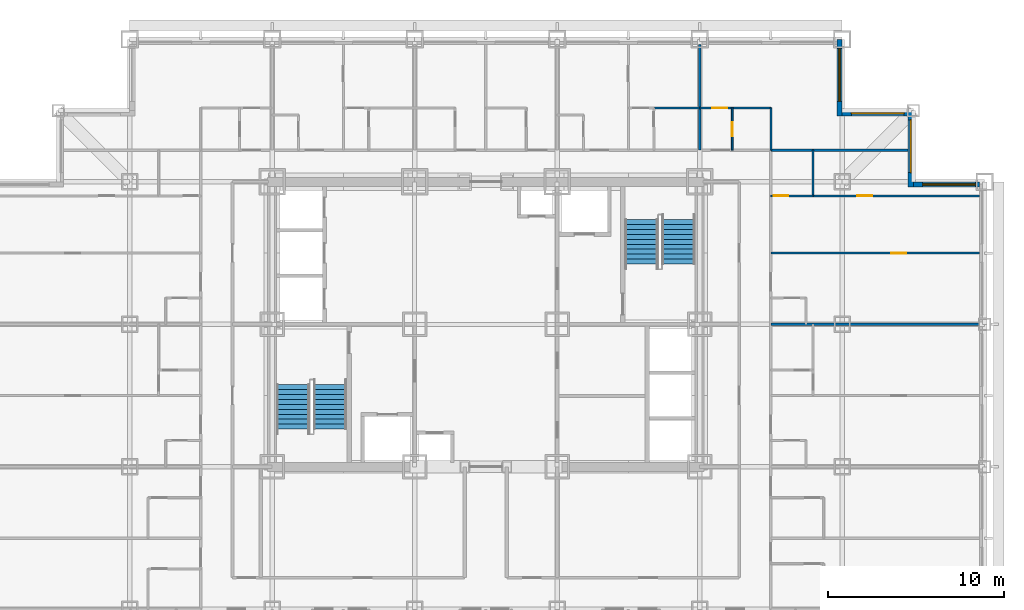
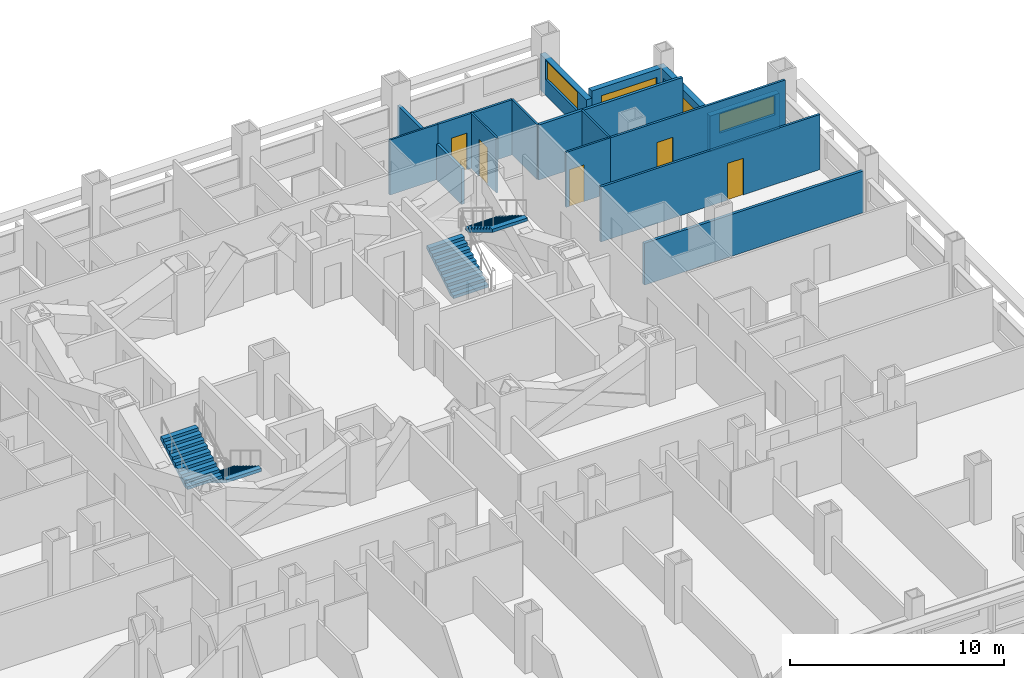
# One storey, part 11 of 12: 15 walls, 5 doors, 4 stair flights, 4 windows, 9 openings, 2 elements without a shape of their own.
"""IFC4 building model written with IfcOpenShell, lengths in metres."""

from ifc_helpers import new_model, si_unit, direction, frame, frame_2d, origin, place, context, subcontext, project, spatial, rectangle, extrude, polygons, source, transform, mapped, material, layer, layer_set, type_object, element, fill, aggregate, save


model = new_model("IFC4")

# Units and contexts
model_context = context("Model", 3, precision=1e-05, world=origin(), true_north=direction((0.0, 1.0)))
body_context = subcontext(model_context, "Body", "Model", "MODEL_VIEW")
ifc_project = project(units=[si_unit("LENGTHUNIT", "METRE"), si_unit("AREAUNIT", "SQUARE_METRE"), si_unit("VOLUMEUNIT", "CUBIC_METRE"), si_unit("PLANEANGLEUNIT", "RADIAN"), si_unit("MASSUNIT", "GRAM", prefix="KILO")], contexts=[model_context])

# Site, building, storey
site_placement = place(None, origin())
site = spatial("IfcSite", under=ifc_project, at=site_placement, CompositionType="ELEMENT")
building_placement = place(site_placement, origin())
building = spatial("IfcBuilding", under=site, at=building_placement, Name="Kopane Lantern Tower", CompositionType="ELEMENT")
storey_placement = place(building_placement, frame((0.0, 0.0, 87.39990234375)))
storey = spatial("IfcBuildingStorey", under=building, at=storey_placement, Name="L22", CompositionType="ELEMENT", Elevation=87.39990234375)

# Wall, opening, door
ifc_material_1 = material(Name="Gypsum board on steel studs", Category="steel")
ifc_layer_1 = layer(ifc_material_1, 0.1201171875)
ifc_layer_set_1 = layer_set([ifc_layer_1], Name="APARTMENT INTERNAL WALL 120")
wall_type_1 = type_object("IfcWallType", Name="APARTMENT INTERNAL WALL 120", PredefinedType="PARTITIONING", material=ifc_layer_set_1)
wall_1_placement = place(storey_placement, frame((44.550048828125, 36.449951171875, 0.0), z_axis=(0.0, 0.0, 1.0), x_axis=(1.0, 0.0, 0.0)))
wall_1 = element("IfcWall", 1, at=wall_1_placement, inside=storey, type_object=wall_type_1, Name="Apartment Internal Wall 120 L22", PredefinedType="PARTITIONING", context=body_context, shape_type="SweptSolid", body=[
    extrude(rectangle(XDim=11.849853515625, YDim=0.1201171875, at=frame_2d((5.9248046875, 0.0))), origin(), (0.0, 0.0, 1.0), 3.150146484375),
])
opening_1_placement = place(wall_1_placement, frame((6.85009765625, 0.0, 0.0)))
opening_1 = element("IfcOpeningElement", 2, at=opening_1_placement, cuts=wall_1, Name="Opening L22-056", PredefinedType="OPENING", context=body_context, shape_type="SweptSolid", body=[
    extrude(rectangle(XDim=0.85009765625, YDim=2.10009765625, at=frame_2d((0.425048828125, 1.050048828125))), frame((0.0, 0.070068359375, 0.0), z_axis=(0.0, -1.0, 0.0), x_axis=(1.0, 0.0, 0.0)), (0.0, 0.0, 1.0), 0.14013671875),
])
ifc_material_2 = material(Name="Timber door set", Category="wood")
door_type_1 = type_object("IfcDoorType", Name="DOOR D4 850x2100", OperationType="SINGLE_SWING_LEFT", PredefinedType="DOOR", material=ifc_material_2)
door_1_placement = place(opening_1_placement, origin())
door_1 = element("IfcDoor", 3, at=door_1_placement, inside=storey, type_object=door_type_1, Name="Door L22-056", OperationType="SINGLE_SWING_LEFT", OverallHeight=2.10009765625, OverallWidth=0.85009765625, PredefinedType="DOOR", context=body_context, shape_type="SweptSolid", body=[
    extrude(rectangle(XDim=0.85009765625, YDim=2.10009765625, at=frame_2d((0.425048828125, 1.050048828125))), frame((0.0, 0.02490234375, 0.0), z_axis=(0.0, -1.0, 0.0), x_axis=(1.0, 0.0, 0.0)), (0.0, 0.0, 1.0), 0.050048828125),
])
fill(opening_1, door_1)

wall_2_placement = place(storey_placement, frame((40.5, 44.699951171875, 0.0), z_axis=(0.0, 0.0, 1.0), x_axis=(1.0, 0.0, 0.0)))
wall_2 = element("IfcWall", 4, at=wall_2_placement, inside=storey, type_object=wall_type_1, Name="Apartment Internal Wall 120 L22", PredefinedType="PARTITIONING", context=body_context, shape_type="SweptSolid", body=[
    extrude(rectangle(XDim=4.050048828125, YDim=0.1201171875, at=frame_2d((2.02490234375, 0.0))), origin(), (0.0, 0.0, 1.0), 3.150146484375),
])
opening_2_placement = place(wall_2_placement, frame((0.72509765625, 0.0, 0.0)))
opening_2 = element("IfcOpeningElement", 5, at=opening_2_placement, cuts=wall_2, Name="Opening L22-067", PredefinedType="OPENING", context=body_context, shape_type="SweptSolid", body=[
    extrude(rectangle(XDim=0.85009765625, YDim=2.10009765625, at=frame_2d((0.425048828125, 1.050048828125))), frame((0.0, 0.070068359375, 0.0), z_axis=(0.0, -1.0, 0.0), x_axis=(1.0, 0.0, 0.0)), (0.0, 0.0, 1.0), 0.14013671875),
])
door_2_placement = place(opening_2_placement, origin())
door_2 = element("IfcDoor", 6, at=door_2_placement, inside=storey, type_object=door_type_1, Name="Door L22-067", OperationType="SINGLE_SWING_LEFT", OverallHeight=2.10009765625, OverallWidth=0.85009765625, PredefinedType="DOOR", context=body_context, shape_type="SweptSolid", body=[
    extrude(rectangle(XDim=0.85009765625, YDim=2.10009765625, at=frame_2d((0.425048828125, 1.050048828125))), frame((0.0, 0.02490234375, 0.0), z_axis=(0.0, -1.0, 0.0), x_axis=(1.0, 0.0, 0.0)), (0.0, 0.0, 1.0), 0.050048828125),
])
fill(opening_2, door_2)

wall_3_placement = place(storey_placement, frame((56.39990234375, 39.699951171875, 0.0), z_axis=(0.0, 0.0, 1.0), x_axis=(-1.0, 0.0, 0.0)))
wall_3 = element("IfcWall", 7, at=wall_3_placement, inside=storey, type_object=wall_type_1, Name="Apartment Internal Wall 120 L22", PredefinedType="PARTITIONING", context=body_context, shape_type="SweptSolid", body=[
    extrude(rectangle(XDim=9.4599609375, YDim=0.1201171875, at=frame_2d((4.72998046875, 0.0))), origin(), (0.0, 0.0, 1.0), 3.150146484375),
])
opening_3_placement = place(wall_3_placement, frame((6.0849609375, 0.0, 0.0)))
opening_3 = element("IfcOpeningElement", 8, at=opening_3_placement, cuts=wall_3, Name="Opening L22-076", PredefinedType="OPENING", context=body_context, shape_type="SweptSolid", body=[
    extrude(rectangle(XDim=0.85009765625, YDim=2.0, at=frame_2d((0.425048828125, 1.0))), frame((0.0, 0.070068359375, 0.0), z_axis=(0.0, -1.0, 0.0), x_axis=(1.0, 0.0, 0.0)), (0.0, 0.0, 1.0), 0.14013671875),
])
ifc_material_3 = material(Name="Timber door set", Category="wood")
door_type_2 = type_object("IfcDoorType", Name="DOOR D12 850x2000 LOW HEAD", OperationType="SINGLE_SWING_LEFT", PredefinedType="DOOR", material=ifc_material_3)
door_3_placement = place(opening_3_placement, origin())
door_3 = element("IfcDoor", 9, at=door_3_placement, inside=storey, type_object=door_type_2, Name="Door L22-076", OperationType="SINGLE_SWING_LEFT", OverallHeight=2.0, OverallWidth=0.85009765625, PredefinedType="DOOR", context=body_context, shape_type="SweptSolid", body=[
    extrude(rectangle(XDim=0.85009765625, YDim=2.0, at=frame_2d((0.425048828125, 1.0))), frame((0.0, 0.02490234375, 0.0), z_axis=(0.0, -1.0, 0.0), x_axis=(1.0, 0.0, 0.0)), (0.0, 0.0, 1.0), 0.050048828125),
])
fill(opening_3, door_3)

# Walls
ifc_material_4 = material(Name="Moisture-resistant board on steel studs", Category="steel")
ifc_layer_2 = layer(ifc_material_4, 0.10009765625)
ifc_layer_set_2 = layer_set([ifc_layer_2], Name="BATHROOM WALL 100")
wall_type_2 = type_object("IfcWallType", Name="BATHROOM WALL 100", PredefinedType="PARTITIONING", material=ifc_layer_set_2)
for number, where, z_axis, x_axis, name in (
    (10, (37.89990234375, 44.699951171875, 0.0), (0.0, 0.0, 1.0), (1.0, 0.0, 0.0), "Bathroom Wall 100 L22"),
    (11, (46.949951171875, 39.699951171875, 0.0), (0.0, 0.0, 1.0), (0.0, 1.0, 0.0), "Bathroom Wall 100 L22"),
):
    element("IfcWall", number, at=place(storey_placement, frame(where, z_axis=z_axis, x_axis=x_axis)), inside=storey, type_object=wall_type_2, Name=name, PredefinedType="PARTITIONING", context=body_context, shape_type="SweptSolid", body=[
        extrude(rectangle(XDim=2.60009765625, YDim=0.10009765625, at=frame_2d((1.300048828125, 0.0))), origin(), (0.0, 0.0, 1.0), 3.150146484375),
    ])

# Wall, opening, door
wall_4_placement = place(storey_placement, frame((44.550048828125, 39.699951171875, 0.0), z_axis=(0.0, 0.0, 1.0), x_axis=(1.0, 0.0, 0.0)))
wall_4 = element("IfcWall", 12, at=wall_4_placement, inside=storey, type_object=wall_type_2, Name="Bathroom Wall 100 L22", PredefinedType="PARTITIONING", context=body_context, shape_type="SweptSolid", body=[
    extrude(rectangle(XDim=2.39990234375, YDim=0.10009765625, at=frame_2d((1.199951171875, 0.0))), origin(), (0.0, 0.0, 1.0), 3.150146484375),
])
opening_4_placement = place(wall_4_placement, frame((0.175048828125, 0.0, 0.0)))
opening_4 = element("IfcOpeningElement", 13, at=opening_4_placement, cuts=wall_4, Name="Opening L22-055", PredefinedType="OPENING", context=body_context, shape_type="SweptSolid", body=[
    extrude(rectangle(XDim=0.800048828125, YDim=2.10009765625, at=frame_2d((0.39990234375, 1.050048828125))), frame((0.0, 0.06005859375, 0.0), z_axis=(0.0, -1.0, 0.0), x_axis=(1.0, 0.0, 0.0)), (0.0, 0.0, 1.0), 0.1201171875),
])
ifc_material_5 = material(Name="Timber door set", Category="wood")
door_type_3 = type_object("IfcDoorType", Name="DOOR D2 800x2100", OperationType="SINGLE_SWING_LEFT", PredefinedType="DOOR", material=ifc_material_5)
door_4_placement = place(opening_4_placement, origin())
door_4 = element("IfcDoor", 14, at=door_4_placement, inside=storey, type_object=door_type_3, Name="Door L22-055", OperationType="SINGLE_SWING_RIGHT", OverallHeight=2.10009765625, OverallWidth=0.800048828125, PredefinedType="DOOR", context=body_context, shape_type="SweptSolid", body=[
    extrude(rectangle(XDim=0.800048828125, YDim=2.10009765625, at=frame_2d((0.39990234375, 1.050048828125))), frame((0.0, 0.02490234375, 0.0), z_axis=(0.0, -1.0, 0.0), x_axis=(1.0, 0.0, 0.0)), (0.0, 0.0, 1.0), 0.050048828125),
])
fill(opening_4, door_4)

wall_5_placement = place(storey_placement, frame((42.35009765625, 42.300048828125, 0.0), z_axis=(0.0, 0.0, 1.0), x_axis=(0.0, 1.0, 0.0)))
wall_5 = element("IfcWall", 15, at=wall_5_placement, inside=storey, type_object=wall_type_2, Name="Bathroom Wall 100 L22", PredefinedType="PARTITIONING", context=body_context, shape_type="SweptSolid", body=[
    extrude(rectangle(XDim=2.39990234375, YDim=0.10009765625, at=frame_2d((1.199951171875, 0.0))), origin(), (0.0, 0.0, 1.0), 3.150146484375),
])
opening_5_placement = place(wall_5_placement, frame((0.800048828125, 0.0, 0.0)))
opening_5 = element("IfcOpeningElement", 16, at=opening_5_placement, cuts=wall_5, Name="Opening L22-065", PredefinedType="OPENING", context=body_context, shape_type="SweptSolid", body=[
    extrude(rectangle(XDim=0.800048828125, YDim=2.10009765625, at=frame_2d((0.39990234375, 1.050048828125))), frame((0.0, 0.06005859375, 0.0), z_axis=(0.0, -1.0, 0.0), x_axis=(1.0, 0.0, 0.0)), (0.0, 0.0, 1.0), 0.1201171875),
])
door_5_placement = place(opening_5_placement, origin())
door_5 = element("IfcDoor", 17, at=door_5_placement, inside=storey, type_object=door_type_3, Name="Door L22-065", OperationType="SINGLE_SWING_RIGHT", OverallHeight=2.10009765625, OverallWidth=0.800048828125, PredefinedType="DOOR", context=body_context, shape_type="SweptSolid", body=[
    extrude(rectangle(XDim=0.800048828125, YDim=2.10009765625, at=frame_2d((0.39990234375, 1.050048828125))), frame((0.0, 0.02490234375, 0.0), z_axis=(0.0, -1.0, 0.0), x_axis=(1.0, 0.0, 0.0)), (0.0, 0.0, 1.0), 0.050048828125),
])
fill(opening_5, door_5)

# Walls
wall_6_placement = place(storey_placement, frame((44.550048828125, 42.300048828125, 0.0), z_axis=(0.0, 0.0, 1.0), x_axis=(0.0, 1.0, 0.0)))
element("IfcWall", 18, at=wall_6_placement, inside=storey, type_object=wall_type_2, Name="Bathroom Wall 100 L22", PredefinedType="PARTITIONING", context=body_context, shape_type="SweptSolid", body=[
    extrude(rectangle(XDim=2.39990234375, YDim=0.10009765625, at=frame_2d((1.199951171875, 0.0))), origin(), (0.0, 0.0, 1.0), 3.150146484375),
])
ifc_material_6 = material(Name="Gypsum board on steel studs", Category="steel")
ifc_layer_3 = layer(ifc_material_6, 0.14990234375)
ifc_layer_set_3 = layer_set([ifc_layer_3], Name="DEMISING WALL 150 EI 60")
wall_type_3 = type_object("IfcWallType", Name="DEMISING WALL 150 EI 60", PredefinedType="PARTITIONING", material=ifc_layer_set_3)
wall_7_placement = place(storey_placement, frame((44.550048828125, 32.39990234375, 0.0), z_axis=(0.0, 0.0, 1.0), x_axis=(1.0, 0.0, 0.0)))
element("IfcWall", 19, at=wall_7_placement, inside=storey, type_object=wall_type_3, Name="Demising Wall 150 Ei 60 L22", PredefinedType="PARTITIONING", context=body_context, shape_type="SweptSolid", body=[
    extrude(rectangle(XDim=11.849853515625, YDim=0.14990234375, at=frame_2d((5.9248046875, 0.0))), origin(), (0.0, 0.0, 1.0), 2.387939453125),
])
wall_8_placement = place(storey_placement, frame((44.550048828125, 42.300048828125, 0.0), z_axis=(0.0, 0.0, 1.0), x_axis=(1.0, 0.0, 0.0)))
element("IfcWall", 20, at=wall_8_placement, inside=storey, type_object=wall_type_3, Name="Demising Wall 150 Ei 60 L22", PredefinedType="PARTITIONING", context=body_context, shape_type="SweptSolid", body=[
    extrude(rectangle(XDim=7.800048828125, YDim=0.14990234375, at=frame_2d((3.89990234375, 0.0))), origin(), (0.0, 0.0, 1.0), 3.150146484375),
])
wall_9_placement = place(storey_placement, frame((40.5, 42.300048828125, 0.0), z_axis=(0.0, 0.0, 1.0), x_axis=(0.0, 1.0, 0.0)))
element("IfcWall", 21, at=wall_9_placement, inside=storey, type_object=wall_type_3, Name="Demising Wall 150 Ei 60 L22", PredefinedType="PARTITIONING", context=body_context, shape_type="SweptSolid", body=[
    extrude(rectangle(XDim=6.0, YDim=0.14990234375, at=frame_2d((3.0, 0.0))), origin(), (0.0, 0.0, 1.0), 2.050048828125),
])

# Wall, opening, window
ifc_material_7 = material(Name="Terracotta rainscreen on light steel framing", Category="masonry")
ifc_layer_4 = layer(ifc_material_7, 0.300048828125)
ifc_layer_set_4 = layer_set([ifc_layer_4], Name="EXTERNAL WALL EW1 300 TERRACOTTA")
wall_type_4 = type_object("IfcWallType", Name="EXTERNAL WALL EW1 300 TERRACOTTA", PredefinedType="SOLIDWALL", material=ifc_layer_set_4)
wall_10_placement = place(storey_placement, frame((56.39990234375, 40.35009765625, 0.0), z_axis=(0.0, 0.0, 1.0), x_axis=(-1.0, 0.0, 0.0)))
wall_10 = element("IfcWall", 22, at=wall_10_placement, inside=storey, type_object=wall_type_4, Name="External wall N L22", PredefinedType="SOLIDWALL", context=body_context, shape_type="SweptSolid", body=[
    extrude(rectangle(XDim=3.75, YDim=0.300048828125, at=frame_2d((1.875, 0.0))), origin(), (0.0, 0.0, 1.0), 2.050048828125),
])
opening_6_placement = place(wall_10_placement, frame((0.22509765625, 0.0, 0.89990234375)))
opening_6 = element("IfcOpeningElement", 23, at=opening_6_placement, cuts=wall_10, Name="Opening WR300110", PredefinedType="OPENING", context=body_context, shape_type="SweptSolid", body=[
    extrude(rectangle(XDim=3.0, YDim=1.10009765625, at=frame_2d((1.5, 0.550048828125))), frame((0.0, 0.159912109375, 0.0), z_axis=(0.0, -1.0, 0.0), x_axis=(1.0, 0.0, 0.0)), (0.0, 0.0, 1.0), 0.320068359375),
])
ifc_material_8 = material(Name="Aluminium and clear glass", Category="aluminium")
window_type = type_object("IfcWindowType", Name="RIBBON WINDOW WR300110 3000x1100", PartitioningType="SINGLE_PANEL", PredefinedType="WINDOW", material=ifc_material_8)
window_1_placement = place(opening_6_placement, origin())
window_1 = element("IfcWindow", 24, at=window_1_placement, inside=storey, type_object=window_type, Name="Window N L22", OverallHeight=1.10009765625, OverallWidth=3.0, PartitioningType="SINGLE_PANEL", PredefinedType="WINDOW", context=body_context, shape_type="SweptSolid", body=[
    extrude(rectangle(XDim=3.0, YDim=1.10009765625, at=frame_2d((1.5, 0.550048828125))), frame((0.0, 0.030029296875, 0.0), z_axis=(0.0, -1.0, 0.0), x_axis=(1.0, 0.0, 0.0)), (0.0, 0.0, 1.0), 0.06005859375),
])
fill(opening_6, window_1)

wall_11_placement = place(storey_placement, frame((52.5, 40.199951171875, 0.0), z_axis=(0.0, 0.0, 1.0), x_axis=(0.0, 1.0, 0.0)))
wall_11 = element("IfcWall", 25, at=wall_11_placement, inside=storey, type_object=wall_type_4, Name="External wall E L22", PredefinedType="SOLIDWALL", context=body_context, shape_type="SweptSolid", body=[
    extrude(rectangle(XDim=4.35009765625, YDim=0.300048828125, at=frame_2d((2.175048828125, 0.0))), origin(), (0.0, 0.0, 1.0), 2.4501953125),
])
opening_7_placement = place(wall_11_placement, frame((0.824951171875, 0.0, 0.89990234375)))
opening_7 = element("IfcOpeningElement", 26, at=opening_7_placement, cuts=wall_11, Name="Opening WR300110", PredefinedType="OPENING", context=body_context, shape_type="SweptSolid", body=[
    extrude(rectangle(XDim=3.0, YDim=1.10009765625, at=frame_2d((1.5, 0.550048828125))), frame((0.0, 0.159912109375, 0.0), z_axis=(0.0, -1.0, 0.0), x_axis=(1.0, 0.0, 0.0)), (0.0, 0.0, 1.0), 0.320068359375),
])
window_2_placement = place(opening_7_placement, origin())
window_2 = element("IfcWindow", 27, at=window_2_placement, inside=storey, type_object=window_type, Name="Window E L22", OverallHeight=1.10009765625, OverallWidth=3.0, PartitioningType="SINGLE_PANEL", PredefinedType="WINDOW", context=body_context, shape_type="SweptSolid", body=[
    extrude(rectangle(XDim=3.0, YDim=1.10009765625, at=frame_2d((1.5, 0.550048828125))), frame((0.0, 0.030029296875, 0.0), z_axis=(0.0, -1.0, 0.0), x_axis=(1.0, 0.0, 0.0)), (0.0, 0.0, 1.0), 0.06005859375),
])
fill(opening_7, window_2)

wall_12_placement = place(storey_placement, frame((52.35009765625, 44.39990234375, 0.0), z_axis=(0.0, 0.0, 1.0), x_axis=(-1.0, 0.0, 0.0)))
wall_12 = element("IfcWall", 28, at=wall_12_placement, inside=storey, type_object=wall_type_4, Name="External wall N L22", PredefinedType="SOLIDWALL", context=body_context, shape_type="SweptSolid", body=[
    extrude(rectangle(XDim=3.75, YDim=0.300048828125, at=frame_2d((1.875, 0.0))), origin(), (0.0, 0.0, 1.0), 2.4501953125),
])
opening_8_placement = place(wall_12_placement, frame((0.22509765625, 0.0, 0.89990234375)))
opening_8 = element("IfcOpeningElement", 29, at=opening_8_placement, cuts=wall_12, Name="Opening WR300110", PredefinedType="OPENING", context=body_context, shape_type="SweptSolid", body=[
    extrude(rectangle(XDim=3.0, YDim=1.10009765625, at=frame_2d((1.5, 0.550048828125))), frame((0.0, 0.159912109375, 0.0), z_axis=(0.0, -1.0, 0.0), x_axis=(1.0, 0.0, 0.0)), (0.0, 0.0, 1.0), 0.320068359375),
])
window_3_placement = place(opening_8_placement, origin())
window_3 = element("IfcWindow", 30, at=window_3_placement, inside=storey, type_object=window_type, Name="Window N L22", OverallHeight=1.10009765625, OverallWidth=3.0, PartitioningType="SINGLE_PANEL", PredefinedType="WINDOW", context=body_context, shape_type="SweptSolid", body=[
    extrude(rectangle(XDim=3.0, YDim=1.10009765625, at=frame_2d((1.5, 0.550048828125))), frame((0.0, 0.030029296875, 0.0), z_axis=(0.0, -1.0, 0.0), x_axis=(1.0, 0.0, 0.0)), (0.0, 0.0, 1.0), 0.06005859375),
])
fill(opening_8, window_3)

wall_13_placement = place(storey_placement, frame((48.449951171875, 44.25, 0.0), z_axis=(0.0, 0.0, 1.0), x_axis=(0.0, 1.0, 0.0)))
wall_13 = element("IfcWall", 31, at=wall_13_placement, inside=storey, type_object=wall_type_4, Name="External wall E L22", PredefinedType="SOLIDWALL", context=body_context, shape_type="SweptSolid", body=[
    extrude(rectangle(XDim=4.35009765625, YDim=0.300048828125, at=frame_2d((2.175048828125, 0.0))), origin(), (0.0, 0.0, 1.0), 2.050048828125),
])
opening_9_placement = place(wall_13_placement, frame((0.824951171875, 0.0, 0.89990234375)))
opening_9 = element("IfcOpeningElement", 32, at=opening_9_placement, cuts=wall_13, Name="Opening WR300110", PredefinedType="OPENING", context=body_context, shape_type="SweptSolid", body=[
    extrude(rectangle(XDim=3.0, YDim=1.10009765625, at=frame_2d((1.5, 0.550048828125))), frame((0.0, 0.159912109375, 0.0), z_axis=(0.0, -1.0, 0.0), x_axis=(1.0, 0.0, 0.0)), (0.0, 0.0, 1.0), 0.320068359375),
])
window_4_placement = place(opening_9_placement, origin())
window_4 = element("IfcWindow", 33, at=window_4_placement, inside=storey, type_object=window_type, Name="Window E L22", OverallHeight=1.10009765625, OverallWidth=3.0, PartitioningType="SINGLE_PANEL", PredefinedType="WINDOW", context=body_context, shape_type="SweptSolid", body=[
    extrude(rectangle(XDim=3.0, YDim=1.10009765625, at=frame_2d((1.5, 0.550048828125))), frame((0.0, 0.030029296875, 0.0), z_axis=(0.0, -1.0, 0.0), x_axis=(1.0, 0.0, 0.0)), (0.0, 0.0, 1.0), 0.06005859375),
])
fill(opening_9, window_4)

# Stair, stair flights
ifc_material_9 = material(Name="Steel S355JR", Category="steel")
stair_type = type_object("IfcStairType", Name="EXIT STAIR 1900 HALF TURN", PredefinedType="HALF_TURN_STAIR", material=ifc_material_9)
stair_1_placement = place(storey_placement, origin())
stair_1 = element("IfcStair", 34, at=stair_1_placement, inside=storey, type_object=stair_type, Name="Exit stair ST1 L22", PredefinedType="HALF_TURN_STAIR")
ifc_material_10 = material(Name="Steel S355JR", Category="steel")
stair_flight_type = type_object("IfcStairFlightType", Name="STAIR FLIGHT 1900 STEEL", PredefinedType="STRAIGHT", material=ifc_material_10)
shared_shape = source(origin(), body_context, "Body", "Tessellation", [
    polygons([(2.520019531, 0.949951172, 1.530029297), (2.239990234, 0.949951172, 1.530029297), (2.239990234, -0.949951172, 1.530029297), (2.520019531, -0.949951172, 1.530029297), (0.288818359, 0.949951172, 0.0), (2.520019531, 0.949951172, 1.354736328), (2.520019531, -0.949951172, 1.354736328), (0.288818359, -0.949951172, 0.0), (0.0, 0.949951172, 0.0), (0.0, -0.949951172, 0.0), (0.280029297, 0.949951172, 0.169921875), (0.0, 0.949951172, 0.169921875), (0.0, -0.949951172, 0.169921875), (0.280029297, -0.949951172, 0.169921875), (0.280029297, 0.949951172, 0.340087891), (0.280029297, -0.949951172, 0.340087891), (0.560058594, 0.949951172, 0.340087891), (0.560058594, -0.949951172, 0.340087891), (0.560058594, 0.949951172, 0.510009766), (0.560058594, -0.949951172, 0.510009766), (0.840087891, 0.949951172, 0.510009766), (0.840087891, -0.949951172, 0.510009766), (0.840087891, 0.949951172, 0.679931641), (0.840087891, -0.949951172, 0.679931641), (1.120117188, 0.949951172, 0.679931641), (1.120117188, -0.949951172, 0.679931641), (1.120117188, 0.949951172, 0.850097656), (1.120117188, -0.949951172, 0.850097656), (1.399902344, 0.949951172, 0.850097656), (1.399902344, -0.949951172, 0.850097656), (1.399902344, 0.949951172, 1.020019531), (1.399902344, -0.949951172, 1.020019531), (1.679931641, 0.949951172, 1.020019531), (1.679931641, -0.949951172, 1.020019531), (1.679931641, 0.949951172, 1.189941406), (1.679931641, -0.949951172, 1.189941406), (1.959960938, 0.949951172, 1.189941406), (1.959960938, -0.949951172, 1.189941406), (1.959960938, 0.949951172, 1.360107422), (1.959960938, -0.949951172, 1.360107422), (2.239990234, 0.949951172, 1.360107422), (2.239990234, -0.949951172, 1.360107422), (0.0, 0.0, 0.004592483), (0.0, 0.0, 0.009184966), (0.0, 0.0, 0.013777449), (0.0, 0.0, 0.018369932), (0.0, 0.0, 0.022962416), (0.0, 0.0, 0.027554899), (0.0, 0.0, 0.032147382), (0.0, 0.0, 0.036739865), (0.0, 0.0, 0.041332348), (0.0, 0.0, 0.045924831), (0.0, 0.0, 0.050517314), (0.0, 0.0, 0.055109797), (0.0, 0.0, 0.05970228), (0.0, 0.0, 0.064294764), (0.0, 0.0, 0.068887247), (0.0, 0.0, 0.07347973), (0.0, 0.0, 0.078072213), (0.0, 0.0, 0.082664696), (0.0, 0.0, 0.087257179), (0.0, 0.0, 0.091849662), (0.0, 0.0, 0.096442145), (0.0, 0.0, 0.101034628), (0.0, 0.0, 0.105627111), (0.0, 0.0, 0.110219595), (0.0, 0.0, 0.114812078), (0.0, 0.0, 0.119404561), (0.0, 0.0, 0.123997044), (0.0, 0.0, 0.128589527), (0.0, 0.0, 0.13318201), (0.0, 0.0, 0.137774493), (0.0, 0.0, 0.142366976), (0.0, 0.0, 0.146959459), (0.0, 0.0, 0.151551943), (0.0, 0.0, 0.156144426), (0.0, 0.0, 0.160736909), (0.0, 0.0, 0.165329392), (2.520019531, 0.0, 1.359473976), (2.520019531, 0.0, 1.364211624), (2.520019531, 0.0, 1.368949272), (2.520019531, 0.0, 1.373686919), (2.520019531, 0.0, 1.378424567), (2.520019531, 0.0, 1.383162215), (2.520019531, 0.0, 1.387899863), (2.520019531, 0.0, 1.392637511), (2.520019531, 0.0, 1.397375158), (2.520019531, 0.0, 1.402112806), (2.520019531, 0.0, 1.406850454), (2.520019531, 0.0, 1.411588102), (2.520019531, 0.0, 1.41632575), (2.520019531, 0.0, 1.421063397), (2.520019531, 0.0, 1.425801045), (2.520019531, 0.0, 1.430538693), (2.520019531, 0.0, 1.435276341), (2.520019531, 0.0, 1.440013989), (2.520019531, 0.0, 1.444751636), (2.520019531, 0.0, 1.449489284), (2.520019531, 0.0, 1.454226932), (2.520019531, 0.0, 1.45896458), (2.520019531, 0.0, 1.463702228), (2.520019531, 0.0, 1.468439875), (2.520019531, 0.0, 1.473177523), (2.520019531, 0.0, 1.477915171), (2.520019531, 0.0, 1.482652819), (2.520019531, 0.0, 1.487390467), (2.520019531, 0.0, 1.492128114), (2.520019531, 0.0, 1.496865762), (2.520019531, 0.0, 1.50160341), (2.520019531, 0.0, 1.506341058), (2.520019531, 0.0, 1.511078706), (2.520019531, 0.0, 1.515816353), (2.520019531, 0.0, 1.520554001), (2.520019531, 0.0, 1.525291649)], [[[1, 2, 3]], [[1, 3, 4]], [[5, 6, 7]], [[5, 7, 8]], [[9, 5, 8]], [[9, 8, 10]], [[11, 12, 13]], [[11, 13, 14]], [[15, 11, 14]], [[15, 14, 16]], [[17, 15, 16]], [[17, 16, 18]], [[19, 17, 18]], [[19, 18, 20]], [[21, 19, 20]], [[21, 20, 22]], [[23, 21, 22]], [[23, 22, 24]], [[25, 23, 24]], [[25, 24, 26]], [[27, 25, 26]], [[27, 26, 28]], [[29, 27, 28]], [[29, 28, 30]], [[31, 29, 30]], [[31, 30, 32]], [[33, 31, 32]], [[33, 32, 34]], [[35, 33, 34]], [[35, 34, 36]], [[37, 35, 36]], [[37, 36, 38]], [[39, 37, 38]], [[39, 38, 40]], [[41, 39, 40]], [[41, 40, 42]], [[2, 41, 42]], [[2, 42, 3]], [[41, 1, 6]], [[37, 41, 6]], [[2, 1, 41]], [[33, 37, 6]], [[39, 41, 37]], [[35, 37, 33]], [[31, 33, 29]], [[5, 21, 25]], [[27, 29, 25]], [[17, 21, 5]], [[23, 25, 21]], [[11, 17, 5]], [[19, 21, 17]], [[9, 11, 5]], [[15, 17, 11]], [[12, 11, 9]], [[6, 5, 25]], [[6, 25, 29]], [[6, 29, 33]], [[7, 4, 42]], [[7, 42, 38]], [[42, 4, 3]], [[7, 38, 34]], [[38, 42, 40]], [[34, 38, 36]], [[30, 34, 32]], [[26, 22, 8]], [[26, 30, 28]], [[8, 22, 18]], [[22, 26, 24]], [[8, 18, 14]], [[18, 22, 20]], [[8, 14, 10]], [[14, 18, 16]], [[10, 14, 13]], [[26, 8, 7]], [[30, 26, 7]], [[34, 30, 7]], [[10, 43, 9]], [[10, 44, 43]], [[9, 43, 44]], [[10, 45, 44]], [[9, 44, 45]], [[10, 46, 45]], [[9, 45, 46]], [[10, 47, 46]], [[9, 46, 47]], [[10, 48, 47]], [[9, 47, 48]], [[10, 49, 48]], [[9, 48, 49]], [[10, 50, 49]], [[9, 49, 50]], [[10, 51, 50]], [[9, 50, 51]], [[10, 52, 51]], [[9, 51, 52]], [[10, 53, 52]], [[9, 52, 53]], [[10, 54, 53]], [[9, 53, 54]], [[10, 55, 54]], [[9, 54, 55]], [[10, 56, 55]], [[9, 55, 56]], [[10, 57, 56]], [[9, 56, 57]], [[10, 58, 57]], [[9, 57, 58]], [[10, 59, 58]], [[9, 58, 59]], [[10, 60, 59]], [[9, 59, 60]], [[10, 61, 60]], [[9, 60, 61]], [[10, 62, 61]], [[9, 61, 62]], [[10, 63, 62]], [[9, 62, 63]], [[10, 64, 63]], [[9, 63, 64]], [[10, 65, 64]], [[9, 64, 65]], [[10, 66, 65]], [[9, 65, 66]], [[10, 67, 66]], [[9, 66, 67]], [[10, 68, 67]], [[9, 67, 68]], [[10, 69, 68]], [[9, 68, 69]], [[10, 70, 69]], [[9, 69, 70]], [[10, 71, 70]], [[9, 70, 71]], [[10, 72, 71]], [[9, 71, 72]], [[10, 73, 72]], [[9, 72, 73]], [[10, 74, 73]], [[9, 73, 74]], [[10, 75, 74]], [[9, 74, 75]], [[10, 76, 75]], [[9, 75, 76]], [[10, 77, 76]], [[9, 76, 77]], [[10, 78, 77]], [[9, 77, 78]], [[10, 13, 78]], [[78, 13, 12]], [[9, 78, 12]], [[7, 6, 79]], [[7, 79, 80]], [[6, 80, 79]], [[7, 80, 81]], [[6, 81, 80]], [[7, 81, 82]], [[6, 82, 81]], [[7, 82, 83]], [[6, 83, 82]], [[7, 83, 84]], [[6, 84, 83]], [[7, 84, 85]], [[6, 85, 84]], [[7, 85, 86]], [[6, 86, 85]], [[7, 86, 87]], [[6, 87, 86]], [[7, 87, 88]], [[6, 88, 87]], [[7, 88, 89]], [[6, 89, 88]], [[7, 89, 90]], [[6, 90, 89]], [[7, 90, 91]], [[6, 91, 90]], [[7, 91, 92]], [[6, 92, 91]], [[7, 92, 93]], [[6, 93, 92]], [[7, 93, 94]], [[6, 94, 93]], [[7, 94, 95]], [[6, 95, 94]], [[7, 95, 96]], [[6, 96, 95]], [[7, 96, 97]], [[6, 97, 96]], [[7, 97, 98]], [[6, 98, 97]], [[7, 98, 99]], [[6, 99, 98]], [[7, 99, 100]], [[6, 100, 99]], [[7, 100, 101]], [[6, 101, 100]], [[7, 101, 102]], [[6, 102, 101]], [[7, 102, 103]], [[6, 103, 102]], [[7, 103, 104]], [[6, 104, 103]], [[7, 104, 105]], [[6, 105, 104]], [[7, 105, 106]], [[6, 106, 105]], [[7, 106, 107]], [[6, 107, 106]], [[7, 107, 108]], [[6, 108, 107]], [[7, 108, 109]], [[6, 109, 108]], [[7, 109, 110]], [[6, 110, 109]], [[7, 110, 111]], [[6, 111, 110]], [[7, 111, 112]], [[6, 112, 111]], [[7, 112, 113]], [[6, 113, 112]], [[7, 113, 114]], [[6, 114, 113]], [[7, 114, 4]], [[114, 1, 4]], [[6, 1, 114]]], closed=True),
])
stair_flight_1_placement = place(storey_placement, frame((19.5, 28.969970703125, 0.0), z_axis=(0.0, 0.0, 1.0), x_axis=(0.0, -1.0, 0.0)))
stair_flight_1 = element("IfcStairFlight", 35, at=stair_flight_1_placement, type_object=stair_flight_type, Name="ST1 flight 1", NumberOfRisers=10, NumberOfTreads=9, PredefinedType="STRAIGHT", RiserHeight=0.17, TreadLength=0.28, context=body_context, shape_type="MappedRepresentation", body=[
    mapped(shared_shape, transform((0.0, 0.0, 0.0))),
])
stair_flight_2_placement = place(storey_placement, frame((17.39990234375, 26.449951171875, 1.7001953125), z_axis=(0.0, 0.0, 1.0), x_axis=(0.0, 1.0, 0.0)))
stair_flight_2 = element("IfcStairFlight", 36, at=stair_flight_2_placement, type_object=stair_flight_type, Name="ST1 flight 2", NumberOfRisers=10, NumberOfTreads=9, PredefinedType="STRAIGHT", RiserHeight=0.17, TreadLength=0.28, context=body_context, shape_type="MappedRepresentation", body=[
    mapped(shared_shape, transform((0.0, 0.0, 0.0))),
])
aggregate(stair_1, [stair_flight_1, stair_flight_2])

stair_2_placement = place(storey_placement, origin())
stair_2 = element("IfcStair", 37, at=stair_2_placement, inside=storey, type_object=stair_type, Name="Exit stair ST2 L22", PredefinedType="HALF_TURN_STAIR")
stair_flight_3_placement = place(storey_placement, frame((37.199951171875, 35.830078125, 0.0), z_axis=(0.0, 0.0, 1.0), x_axis=(0.0, 1.0, 0.0)))
stair_flight_3 = element("IfcStairFlight", 38, at=stair_flight_3_placement, type_object=stair_flight_type, Name="ST2 flight 1", NumberOfRisers=10, NumberOfTreads=9, PredefinedType="STRAIGHT", RiserHeight=0.17, TreadLength=0.28, context=body_context, shape_type="MappedRepresentation", body=[
    mapped(shared_shape, transform((0.0, 0.0, 0.0))),
])
stair_flight_4_placement = place(storey_placement, frame((39.300048828125, 38.35009765625, 1.7001953125), z_axis=(0.0, 0.0, 1.0), x_axis=(0.0, -1.0, 0.0)))
stair_flight_4 = element("IfcStairFlight", 39, at=stair_flight_4_placement, type_object=stair_flight_type, Name="ST2 flight 2", NumberOfRisers=10, NumberOfTreads=9, PredefinedType="STRAIGHT", RiserHeight=0.17, TreadLength=0.28, context=body_context, shape_type="MappedRepresentation", body=[
    mapped(shared_shape, transform((0.0, 0.0, 0.0))),
])
aggregate(stair_2, [stair_flight_3, stair_flight_4])

save(model, "model.ifc")
